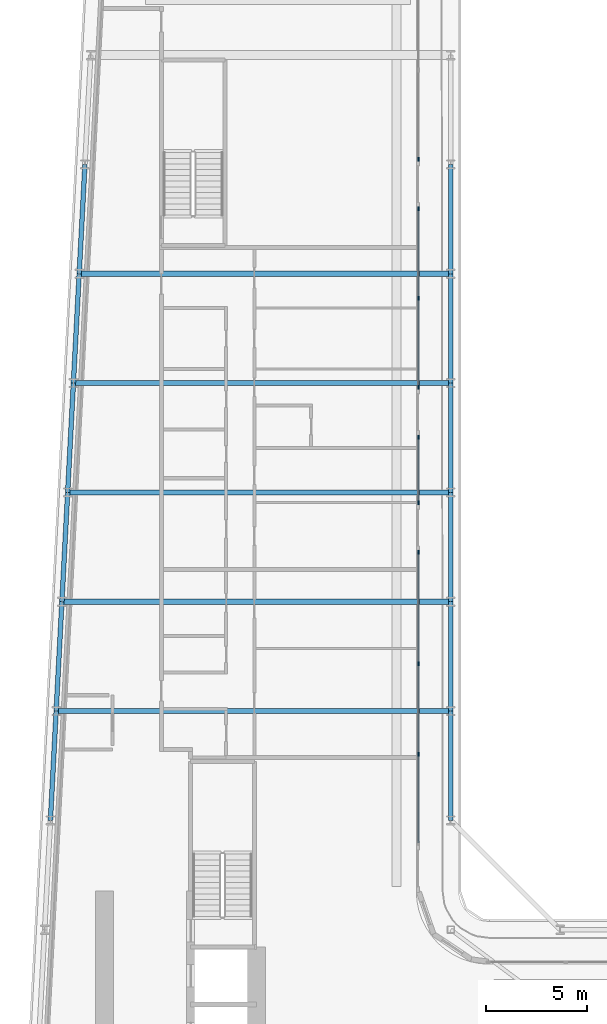
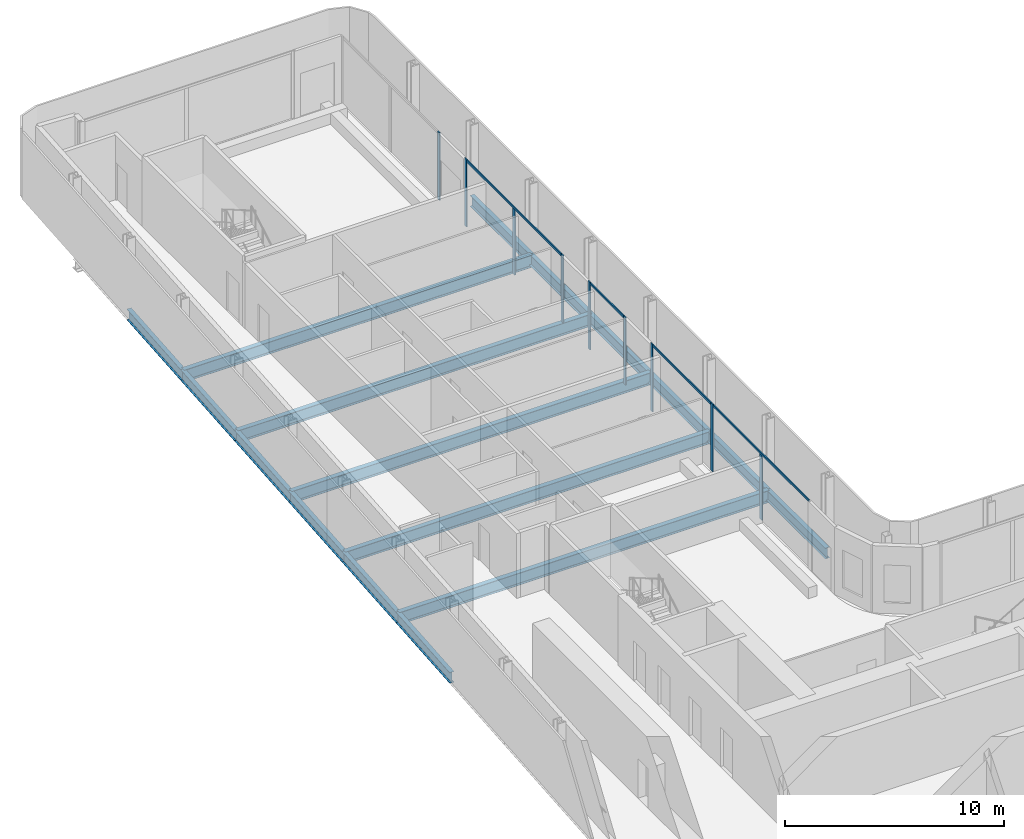
# One storey, part 7 of 25: 17 beams, 13 members, 5 elements without a shape of their own.
"""IFC4 building model written with IfcOpenShell, lengths in metres."""

from ifc_helpers import new_model, si_unit, direction, frame, origin, origin_2d, place, context, subcontext, project, spatial, rectangle, i_section, extrude, material, layer, layer_set, material_profile, profile_set, type_object, element, aggregate, save


model = new_model("IFC4")

# Units and contexts
model_context = context("Model", 3, precision=1e-05, world=origin(), true_north=direction((0.0, 1.0)))
body_context = subcontext(model_context, "Body", "Model", "MODEL_VIEW")
ifc_project = project(units=[si_unit("LENGTHUNIT", "METRE"), si_unit("AREAUNIT", "SQUARE_METRE"), si_unit("VOLUMEUNIT", "CUBIC_METRE"), si_unit("PLANEANGLEUNIT", "RADIAN"), si_unit("MASSUNIT", "GRAM", prefix="KILO")], contexts=[model_context])

# Site, building, storey
site_placement = place(None, origin())
site = spatial("IfcSite", under=ifc_project, at=site_placement, CompositionType="ELEMENT")
building_placement = place(site_placement, origin())
building = spatial("IfcBuilding", under=site, at=building_placement, Name="Kheshtan School and Residences Tower", CompositionType="ELEMENT")
storey_placement = place(building_placement, frame((0.0, 0.0, 113.60009765625)))
storey = spatial("IfcBuildingStorey", under=building, at=storey_placement, Name="L26", CompositionType="ELEMENT", Elevation=113.60009765625)

# Beams
ifc_material_1 = material(Name="Steel ASTM A992 Grade 50", Category="steel")
ifc_material_profile_1 = material_profile(ifc_material_1, i_section(OverallWidth=0.2529296875, OverallDepth=0.677978515625, WebThickness=0.01171875, FlangeThickness=0.016357421875, FilletRadius=0.0146484375, at=origin_2d()), Name="W690x125")
ifc_profile_set_1 = profile_set([ifc_material_profile_1], Name="Steel ASTM A992 Grade 50")
beam_type_1 = type_object("IfcBeamType", Name="Beam FB6 W690x125 ASTM A992 Grade 50", PredefinedType="BEAM", material=ifc_profile_set_1)
beam_1_placement = place(storey_placement, frame((47.60009765625, 78.0, -0.489013671875), z_axis=(-1.0, 0.0, 0.0), x_axis=(0.0, -1.0, 0.0)))
element("IfcBeam", 1, at=beam_1_placement, inside=storey, type_object=beam_type_1, Name="Floor beam C089", PredefinedType="BEAM", context=body_context, shape_type="SweptSolid", body=[
    extrude(i_section(OverallWidth=0.2529296875, OverallDepth=0.677978515625, WebThickness=0.01171875, FlangeThickness=0.016357421875, FilletRadius=0.0146484375, at=origin_2d()), origin(), (0.0, 0.0, 1.0), 18.357177734375),
])
beam_2_placement = place(storey_placement, frame((47.60009765625, 67.199951171875, -0.489013671875), z_axis=(-1.0, 0.0, 0.0), x_axis=(0.0, -1.0, 0.0)))
element("IfcBeam", 2, at=beam_2_placement, inside=storey, type_object=beam_type_1, Name="Floor beam C085", PredefinedType="BEAM", context=body_context, shape_type="SweptSolid", body=[
    extrude(i_section(OverallWidth=0.2529296875, OverallDepth=0.677978515625, WebThickness=0.01171875, FlangeThickness=0.016357421875, FilletRadius=0.0146484375, at=origin_2d()), origin(), (0.0, 0.0, 1.0), 18.926025390625),
])
beam_3_placement = place(storey_placement, frame((47.60009765625, 56.39990234375, -0.489013671875), z_axis=(-1.0, 0.0, 0.0), x_axis=(0.0, -1.0, 0.0)))
element("IfcBeam", 3, at=beam_3_placement, inside=storey, type_object=beam_type_1, Name="Floor beam C081", PredefinedType="BEAM", context=body_context, shape_type="SweptSolid", body=[
    extrude(i_section(OverallWidth=0.2529296875, OverallDepth=0.677978515625, WebThickness=0.01171875, FlangeThickness=0.016357421875, FilletRadius=0.0146484375, at=origin_2d()), origin(), (0.0, 0.0, 1.0), 19.494140625),
])
beam_4_placement = place(storey_placement, frame((28.389892578125, 61.800048828125, -0.489013671875), z_axis=(1.0, 0.0, 0.0), x_axis=(0.0, 1.0, 0.0)))
element("IfcBeam", 4, at=beam_4_placement, inside=storey, type_object=beam_type_1, Name="Floor beam C082", PredefinedType="BEAM", context=body_context, shape_type="SweptSolid", body=[
    extrude(i_section(OverallWidth=0.2529296875, OverallDepth=0.677978515625, WebThickness=0.01171875, FlangeThickness=0.016357421875, FilletRadius=0.0146484375, at=origin_2d()), origin(), (0.0, 0.0, 1.0), 19.210205078125),
])
beam_5_placement = place(storey_placement, frame((28.9580078125, 72.60009765625, -0.489013671875), z_axis=(1.0, 0.0, 0.0), x_axis=(0.0, 1.0, 0.0)))
element("IfcBeam", 5, at=beam_5_placement, inside=storey, type_object=beam_type_1, Name="Floor beam C086", PredefinedType="BEAM", context=body_context, shape_type="SweptSolid", body=[
    extrude(i_section(OverallWidth=0.2529296875, OverallDepth=0.677978515625, WebThickness=0.01171875, FlangeThickness=0.016357421875, FilletRadius=0.0146484375, at=origin_2d()), origin(), (0.0, 0.0, 1.0), 18.64208984375),
])
ifc_material_profile_2 = material_profile(ifc_material_1, i_section(OverallWidth=0.22802734375, OverallDepth=0.60302734375, WebThickness=0.010498046875, FlangeThickness=0.014892578125, FilletRadius=0.013427734375, at=origin_2d()), Name="W610x101")
ifc_profile_set_2 = profile_set([ifc_material_profile_2], Name="Steel ASTM A992 Grade 50")
beam_type_2 = type_object("IfcBeamType", Name="Beam SP2 W610x101 ASTM A992 Grade 50", PredefinedType="BEAM", material=ifc_profile_set_2)
for number, where, z_axis, x_axis, name in (
    (6, (47.60009765625, 83.39990234375, -0.45166015625), (0.0, -1.0, 0.0), (1.0, 0.0, 0.0), "Spandrel beam C091-C089"),
    (7, (47.60009765625, 78.0, -0.45166015625), (0.0, -1.0, 0.0), (1.0, 0.0, 0.0), "Spandrel beam C089-C087"),
):
    element("IfcBeam", number, at=place(storey_placement, frame(where, z_axis=z_axis, x_axis=x_axis)), inside=storey, type_object=beam_type_2, Name=name, PredefinedType="BEAM", context=body_context, shape_type="SweptSolid", body=[
        extrude(i_section(OverallWidth=0.22802734375, OverallDepth=0.60302734375, WebThickness=0.010498046875, FlangeThickness=0.014892578125, FilletRadius=0.013427734375, at=origin_2d()), origin(), (0.0, 0.0, 1.0), 5.39990234375),
    ])
beam_6_placement = place(storey_placement, frame((47.60009765625, 72.60009765625, -0.45166015625), z_axis=(0.0, -1.0, 0.0), x_axis=(1.0, 0.0, 0.0)))
element("IfcBeam", 8, at=beam_6_placement, inside=storey, type_object=beam_type_2, Name="Spandrel beam C087-C085", PredefinedType="BEAM", context=body_context, shape_type="SweptSolid", body=[
    extrude(i_section(OverallWidth=0.22802734375, OverallDepth=0.60302734375, WebThickness=0.010498046875, FlangeThickness=0.014892578125, FilletRadius=0.013427734375, at=origin_2d()), origin(), (0.0, 0.0, 1.0), 5.400146484375),
])
beam_7_placement = place(storey_placement, frame((47.60009765625, 67.199951171875, -0.45166015625), z_axis=(0.0, -1.0, 0.0), x_axis=(1.0, 0.0, 0.0)))
element("IfcBeam", 9, at=beam_7_placement, inside=storey, type_object=beam_type_2, Name="Spandrel beam C085-C083", PredefinedType="BEAM", context=body_context, shape_type="SweptSolid", body=[
    extrude(i_section(OverallWidth=0.22802734375, OverallDepth=0.60302734375, WebThickness=0.010498046875, FlangeThickness=0.014892578125, FilletRadius=0.013427734375, at=origin_2d()), origin(), (0.0, 0.0, 1.0), 5.39990234375),
])
beam_8_placement = place(storey_placement, frame((47.60009765625, 61.800048828125, -0.45166015625), z_axis=(0.0, -1.0, 0.0), x_axis=(1.0, 0.0, 0.0)))
element("IfcBeam", 10, at=beam_8_placement, inside=storey, type_object=beam_type_2, Name="Spandrel beam C083-C081", PredefinedType="BEAM", context=body_context, shape_type="SweptSolid", body=[
    extrude(i_section(OverallWidth=0.22802734375, OverallDepth=0.60302734375, WebThickness=0.010498046875, FlangeThickness=0.014892578125, FilletRadius=0.013427734375, at=origin_2d()), origin(), (0.0, 0.0, 1.0), 5.400146484375),
])
beam_9_placement = place(storey_placement, frame((47.60009765625, 56.39990234375, -0.45166015625), z_axis=(0.0, -1.0, 0.0), x_axis=(1.0, 0.0, 0.0)))
element("IfcBeam", 11, at=beam_9_placement, inside=storey, type_object=beam_type_2, Name="Spandrel beam C081-C079", PredefinedType="BEAM", context=body_context, shape_type="SweptSolid", body=[
    extrude(i_section(OverallWidth=0.22802734375, OverallDepth=0.60302734375, WebThickness=0.010498046875, FlangeThickness=0.014892578125, FilletRadius=0.013427734375, at=origin_2d()), origin(), (0.0, 0.0, 1.0), 5.39990234375),
])
beam_10_placement = place(storey_placement, frame((27.822021484375, 51.0, -0.45166015625), z_axis=(0.05250906864, 0.998620447272, 0.0), x_axis=(-0.998620447272, 0.05250906864, 0.0)))
element("IfcBeam", 12, at=beam_10_placement, inside=storey, type_object=beam_type_2, Name="Spandrel beam C078-C080", PredefinedType="BEAM", context=body_context, shape_type="SweptSolid", body=[
    extrude(i_section(OverallWidth=0.22802734375, OverallDepth=0.60302734375, WebThickness=0.010498046875, FlangeThickness=0.014892578125, FilletRadius=0.013427734375, at=origin_2d()), origin(), (0.0, 0.0, 1.0), 5.407470703125),
])
beam_11_placement = place(storey_placement, frame((28.10595703125, 56.39990234375, -0.45166015625), z_axis=(0.05250670125, 0.998620571751, 0.0), x_axis=(-0.998620571751, 0.05250670125, 0.0)))
element("IfcBeam", 13, at=beam_11_placement, inside=storey, type_object=beam_type_2, Name="Spandrel beam C080-C082", PredefinedType="BEAM", context=body_context, shape_type="SweptSolid", body=[
    extrude(i_section(OverallWidth=0.22802734375, OverallDepth=0.60302734375, WebThickness=0.010498046875, FlangeThickness=0.014892578125, FilletRadius=0.013427734375, at=origin_2d()), origin(), (0.0, 0.0, 1.0), 5.40771484375),
])
beam_12_placement = place(storey_placement, frame((28.389892578125, 61.800048828125, -0.45166015625), z_axis=(0.052554093665, 0.998618078766, 0.0), x_axis=(-0.998618078766, 0.052554093665, 0.0)))
element("IfcBeam", 14, at=beam_12_placement, inside=storey, type_object=beam_type_2, Name="Spandrel beam C082-C084", PredefinedType="BEAM", context=body_context, shape_type="SweptSolid", body=[
    extrude(i_section(OverallWidth=0.22802734375, OverallDepth=0.60302734375, WebThickness=0.010498046875, FlangeThickness=0.014892578125, FilletRadius=0.013427734375, at=origin_2d()), origin(), (0.0, 0.0, 1.0), 5.407470703125),
])
beam_13_placement = place(storey_placement, frame((28.674072265625, 67.199951171875, -0.45166015625), z_axis=(0.05250670125, 0.998620571751, 0.0), x_axis=(-0.998620571751, 0.05250670125, 0.0)))
element("IfcBeam", 15, at=beam_13_placement, inside=storey, type_object=beam_type_2, Name="Spandrel beam C084-C086", PredefinedType="BEAM", context=body_context, shape_type="SweptSolid", body=[
    extrude(i_section(OverallWidth=0.22802734375, OverallDepth=0.60302734375, WebThickness=0.010498046875, FlangeThickness=0.014892578125, FilletRadius=0.013427734375, at=origin_2d()), origin(), (0.0, 0.0, 1.0), 5.40771484375),
])
for number, where, z_axis, x_axis, name in (
    (16, (28.9580078125, 72.60009765625, -0.45166015625), (0.052689166816, 0.998610961136, 0.0), (-0.998610961136, 0.052689166816, 0.0), "Spandrel beam C086-C088"),
    (17, (29.242919921875, 78.0, -0.45166015625), (0.052554093665, 0.998618078766, 0.0), (-0.998618078766, 0.052554093665, 0.0), "Spandrel beam C088-C090"),
):
    element("IfcBeam", number, at=place(storey_placement, frame(where, z_axis=z_axis, x_axis=x_axis)), inside=storey, type_object=beam_type_2, Name=name, PredefinedType="BEAM", context=body_context, shape_type="SweptSolid", body=[
        extrude(i_section(OverallWidth=0.22802734375, OverallDepth=0.60302734375, WebThickness=0.010498046875, FlangeThickness=0.014892578125, FilletRadius=0.013427734375, at=origin_2d()), origin(), (0.0, 0.0, 1.0), 5.407470703125),
    ])

# Curtain wall, member
ifc_material_2 = material(Name="Clear low-e glass in thermally broken aluminium frame", Category="aluminium")
ifc_layer = layer(ifc_material_2, 0.199951171875)
ifc_layer_set = layer_set([ifc_layer], Name="Curtain wall CW-L")
curtain_wall_type = type_object("IfcCurtainWallType", Name="Curtain wall CW-L", PredefinedType="NOTDEFINED", material=ifc_layer_set)
curtain_wall_1_placement = place(storey_placement, origin())
curtain_wall_1 = element("IfcCurtainWall", 18, at=curtain_wall_1_placement, inside=storey, type_object=curtain_wall_type, Name="Curtain wall CWL4b", PredefinedType="NOTDEFINED")
ifc_material_3 = material(Name="Thermally broken aluminium, dark bronze anodised", Category="aluminium")
ifc_material_profile_3 = material_profile(ifc_material_3, rectangle(XDim=0.06005859375, YDim=0.199951171875, at=origin_2d()), Name="CW-L mullion 60x200")
ifc_profile_set_3 = profile_set([ifc_material_profile_3], Name="Thermally broken aluminium, dark bronze anodised")
member_type_1 = type_object("IfcMemberType", Name="CW-L mullion 60x200", PredefinedType="MULLION", material=ifc_profile_set_3)
member_1_placement = place(storey_placement, frame((46.0, 83.66259765625, 0.0), z_axis=(0.0, 0.0, 1.0), x_axis=(1.0, 0.0, 0.0)))
member_1 = element("IfcMember", 19, at=member_1_placement, type_object=member_type_1, Name="CWL4b mullion 3", PredefinedType="MULLION", context=body_context, shape_type="SweptSolid", body=[
    extrude(rectangle(XDim=0.06005859375, YDim=0.199951171875, at=origin_2d()), origin(), (0.0, 0.0, 1.0), 3.75),
])
aggregate(curtain_wall_1, [member_1])

# Curtain wall, members
curtain_wall_2_placement = place(storey_placement, origin())
curtain_wall_2 = element("IfcCurtainWall", 20, at=curtain_wall_2_placement, inside=storey, type_object=curtain_wall_type, Name="Curtain wall CWL4e", PredefinedType="NOTDEFINED")
member_2_placement = place(storey_placement, frame((46.0, 81.202392578125, 0.0), z_axis=(0.0, 0.0, 1.0), x_axis=(1.0, 0.0, 0.0)))
member_2 = element("IfcMember", 21, at=member_2_placement, type_object=member_type_1, Name="CWL4e mullion 1", PredefinedType="MULLION", context=body_context, shape_type="SweptSolid", body=[
    extrude(rectangle(XDim=0.06005859375, YDim=0.199951171875, at=origin_2d()), origin(), (0.0, 0.0, 1.0), 3.75),
])
member_3_placement = place(storey_placement, frame((46.0, 76.798828125, 0.0), z_axis=(0.0, 0.0, 1.0), x_axis=(1.0, 0.0, 0.0)))
member_3 = element("IfcMember", 22, at=member_3_placement, type_object=member_type_1, Name="CWL4e mullion 2", PredefinedType="MULLION", context=body_context, shape_type="SweptSolid", body=[
    extrude(rectangle(XDim=0.06005859375, YDim=0.199951171875, at=origin_2d()), origin(), (0.0, 0.0, 1.0), 3.6298828125),
])
member_4_placement = place(storey_placement, frame((46.0, 72.39501953125, 0.0), z_axis=(0.0, 0.0, 1.0), x_axis=(1.0, 0.0, 0.0)))
member_4 = element("IfcMember", 23, at=member_4_placement, type_object=member_type_1, Name="CWL4e mullion 3", PredefinedType="MULLION", context=body_context, shape_type="SweptSolid", body=[
    extrude(rectangle(XDim=0.06005859375, YDim=0.199951171875, at=origin_2d()), origin(), (0.0, 0.0, 1.0), 3.75),
])

curtain_wall_3_placement = place(storey_placement, origin())
curtain_wall_3 = element("IfcCurtainWall", 24, at=curtain_wall_3_placement, inside=storey, type_object=curtain_wall_type, Name="Curtain wall CWL4f", PredefinedType="NOTDEFINED")
member_5_placement = place(storey_placement, frame((46.0, 69.93505859375, 0.0), z_axis=(0.0, 0.0, 1.0), x_axis=(1.0, 0.0, 0.0)))
member_5 = element("IfcMember", 25, at=member_5_placement, type_object=member_type_1, Name="CWL4f mullion 1", PredefinedType="MULLION", context=body_context, shape_type="SweptSolid", body=[
    extrude(rectangle(XDim=0.06005859375, YDim=0.199951171875, at=origin_2d()), origin(), (0.0, 0.0, 1.0), 3.75),
])
member_6_placement = place(storey_placement, frame((46.0, 66.695068359375, 0.0), z_axis=(0.0, 0.0, 1.0), x_axis=(1.0, 0.0, 0.0)))
member_6 = element("IfcMember", 26, at=member_6_placement, type_object=member_type_1, Name="CWL4f mullion 2", PredefinedType="MULLION", context=body_context, shape_type="SweptSolid", body=[
    extrude(rectangle(XDim=0.06005859375, YDim=0.199951171875, at=origin_2d()), origin(), (0.0, 0.0, 1.0), 3.75),
])

curtain_wall_4_placement = place(storey_placement, origin())
curtain_wall_4 = element("IfcCurtainWall", 27, at=curtain_wall_4_placement, inside=storey, type_object=curtain_wall_type, Name="Curtain wall CWL4g", PredefinedType="NOTDEFINED")
member_7_placement = place(storey_placement, frame((46.0, 64.235107421875, 0.0), z_axis=(0.0, 0.0, 1.0), x_axis=(1.0, 0.0, 0.0)))
member_7 = element("IfcMember", 28, at=member_7_placement, type_object=member_type_1, Name="CWL4g mullion 1", PredefinedType="MULLION", context=body_context, shape_type="SweptSolid", body=[
    extrude(rectangle(XDim=0.06005859375, YDim=0.199951171875, at=origin_2d()), origin(), (0.0, 0.0, 1.0), 3.75),
])
member_8_placement = place(storey_placement, frame((46.0, 58.7275390625, 0.0), z_axis=(0.0, 0.0, 1.0), x_axis=(1.0, 0.0, 0.0)))
member_8 = element("IfcMember", 29, at=member_8_placement, type_object=member_type_1, Name="CWL4g mullion 2", PredefinedType="MULLION", context=body_context, shape_type="SweptSolid", body=[
    extrude(rectangle(XDim=0.06005859375, YDim=0.199951171875, at=origin_2d()), origin(), (0.0, 0.0, 1.0), 3.75),
])

# Curtain wall, member
curtain_wall_5_placement = place(storey_placement, origin())
curtain_wall_5 = element("IfcCurtainWall", 30, at=curtain_wall_5_placement, inside=storey, type_object=curtain_wall_type, Name="Curtain wall CWL4b", PredefinedType="NOTDEFINED")
member_9_placement = place(storey_placement, frame((46.0, 54.263671875, 0.0), z_axis=(0.0, 0.0, 1.0), x_axis=(1.0, 0.0, 0.0)))
member_9 = element("IfcMember", 31, at=member_9_placement, type_object=member_type_1, Name="CWL4b mullion 2", PredefinedType="MULLION", context=body_context, shape_type="SweptSolid", body=[
    extrude(rectangle(XDim=0.06005859375, YDim=0.199951171875, at=origin_2d()), origin(), (0.0, 0.0, 1.0), 3.6298828125),
])

# Member
ifc_material_profile_4 = material_profile(ifc_material_3, rectangle(XDim=0.06005859375, YDim=0.1201171875, at=origin_2d()), Name="CW-L transom 60x120")
ifc_profile_set_4 = profile_set([ifc_material_profile_4], Name="Thermally broken aluminium, dark bronze anodised")
member_type_2 = type_object("IfcMemberType", Name="CW-L transom 60x120", PredefinedType="USERDEFINED", material=ifc_profile_set_4)
member_10_placement = place(storey_placement, frame((46.0, 81.172607421875, 3.68994140625), z_axis=(0.0, -1.0, 0.0), x_axis=(1.0, 0.0, 0.0)))
member_10 = element("IfcMember", 32, at=member_10_placement, type_object=member_type_2, Name="CWL4e transom 1", ObjectType="TRANSOM", PredefinedType="USERDEFINED", context=body_context, shape_type="SweptSolid", body=[
    extrude(rectangle(XDim=0.06005859375, YDim=0.1201171875, at=origin_2d()), origin(), (0.0, 0.0, 1.0), 8.74755859375),
])

aggregate(curtain_wall_2, [member_2, member_3, member_4, member_10])

member_11_placement = place(storey_placement, frame((46.0, 69.905029296875, 3.68994140625), z_axis=(0.0, -1.0, 0.0), x_axis=(1.0, 0.0, 0.0)))
member_11 = element("IfcMember", 33, at=member_11_placement, type_object=member_type_2, Name="CWL4f transom 1", ObjectType="TRANSOM", PredefinedType="USERDEFINED", context=body_context, shape_type="SweptSolid", body=[
    extrude(rectangle(XDim=0.06005859375, YDim=0.1201171875, at=origin_2d()), origin(), (0.0, 0.0, 1.0), 3.179931640625),
])

aggregate(curtain_wall_3, [member_5, member_6, member_11])

member_12_placement = place(storey_placement, frame((46.0, 64.205078125, 3.68994140625), z_axis=(0.0, -1.0, 0.0), x_axis=(1.0, 0.0, 0.0)))
member_12 = element("IfcMember", 34, at=member_12_placement, type_object=member_type_2, Name="CWL4g transom 1", ObjectType="TRANSOM", PredefinedType="USERDEFINED", context=body_context, shape_type="SweptSolid", body=[
    extrude(rectangle(XDim=0.06005859375, YDim=0.1201171875, at=origin_2d()), origin(), (0.0, 0.0, 1.0), 5.447509765625),
])

aggregate(curtain_wall_4, [member_7, member_8, member_12])

member_13_placement = place(storey_placement, frame((46.0, 58.697509765625, 3.68994140625), z_axis=(0.0, -1.0, 0.0), x_axis=(1.0, 0.0, 0.0)))
member_13 = element("IfcMember", 35, at=member_13_placement, type_object=member_type_2, Name="CWL4b transom 1", ObjectType="TRANSOM", PredefinedType="USERDEFINED", context=body_context, shape_type="SweptSolid", body=[
    extrude(rectangle(XDim=0.06005859375, YDim=0.1201171875, at=origin_2d()), origin(), (0.0, 0.0, 1.0), 8.8076171875),
])

aggregate(curtain_wall_5, [member_9, member_13])

save(model, "model.ifc")
